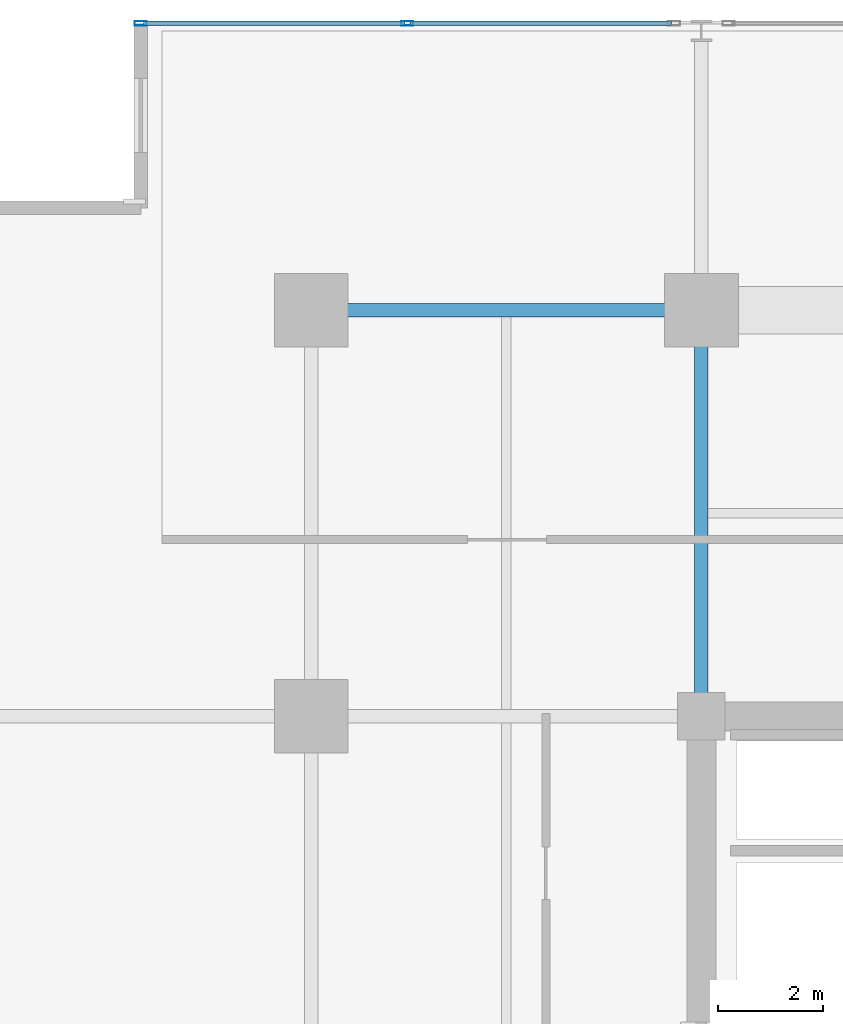
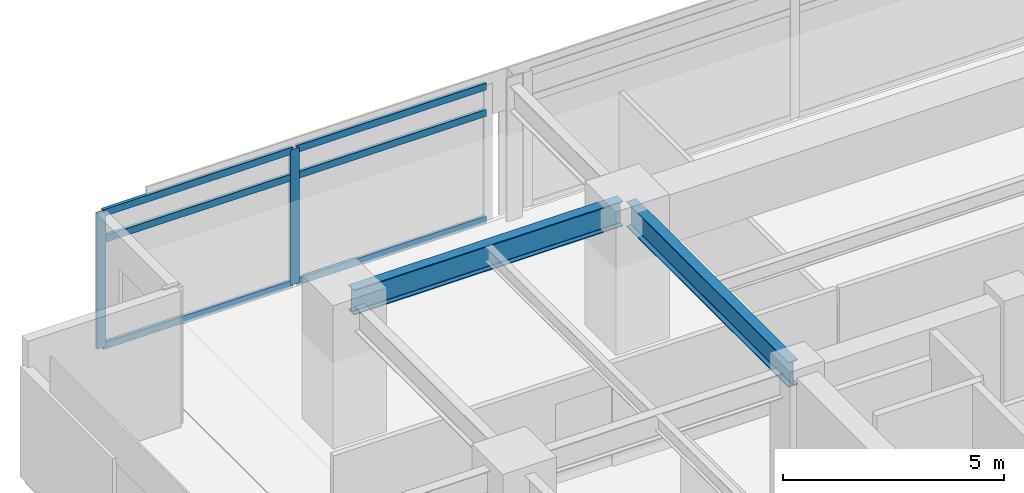
# One storey, part 6 of 23: 8 members, 2 beams, 1 element without a shape of its own.
"""IFC4 building model written with IfcOpenShell, lengths in metres."""

from ifc_helpers import new_model, si_unit, direction, frame, origin, origin_2d, place, context, subcontext, project, spatial, hollow_rectangle, i_section, extrude, material, material_profile, profile_set, type_object, element, aggregate, save


model = new_model("IFC4")

# Units and contexts
model_context = context("Model", 3, precision=1e-05, world=origin(), true_north=direction((0.0, 1.0)))
body_context = subcontext(model_context, "Body", "Model", "MODEL_VIEW")
ifc_project = project(units=[si_unit("LENGTHUNIT", "METRE"), si_unit("AREAUNIT", "SQUARE_METRE"), si_unit("VOLUMEUNIT", "CUBIC_METRE"), si_unit("PLANEANGLEUNIT", "RADIAN"), si_unit("MASSUNIT", "GRAM", prefix="KILO")], contexts=[model_context])

# Site, building, storey
site_placement = place(None, origin())
site = spatial("IfcSite", under=ifc_project, at=site_placement, CompositionType="ELEMENT")
building_placement = place(site_placement, origin())
building = spatial("IfcBuilding", under=site, at=building_placement, Name="Kovane Verandah Tower", CompositionType="ELEMENT")
storey_placement = place(building_placement, frame((0.0, 0.0, 221.199951171875)))
storey = spatial("IfcBuildingStorey", under=building, at=storey_placement, Name="L51", CompositionType="ELEMENT", Elevation=221.199951171875)

# Beams
ifc_material_1 = material(Name="Steel S355", Category="steel")
ifc_material_profile_1 = material_profile(ifc_material_1, i_section(OverallWidth=0.255859375, OverallDepth=0.69287109375, WebThickness=0.014404296875, FlangeThickness=0.023681640625, FilletRadius=0.01513671875, at=origin_2d()), Name="UB686x254x170")
ifc_profile_set_1 = profile_set([ifc_material_profile_1], Name="Steel S355")
beam_type = type_object("IfcBeamType", Name="BM-UB686x170", PredefinedType="BEAM", material=ifc_profile_set_1)
beam_1_placement = place(storey_placement, frame((21.780029296875, 44.199951171875, 3.428466796875), z_axis=(1.0, 0.0, 0.0), x_axis=(0.0, 1.0, 0.0)))
element("IfcBeam", 1, at=beam_1_placement, inside=storey, type_object=beam_type, Name="L51 Primary Tower Girder G-RN1", PredefinedType="BEAM", context=body_context, shape_type="SweptSolid", body=[
    extrude(i_section(OverallWidth=0.255859375, OverallDepth=0.69287109375, WebThickness=0.014404296875, FlangeThickness=0.023681640625, FilletRadius=0.01513671875, at=origin_2d()), origin(), (0.0, 0.0, 1.0), 7.0400390625),
])
beam_2_placement = place(storey_placement, frame((29.0, 36.679931640625, 3.428466796875), z_axis=(0.0, 1.0, 0.0), x_axis=(-1.0, 0.0, 0.0)))
element("IfcBeam", 2, at=beam_2_placement, inside=storey, type_object=beam_type, Name="L51 Primary Tower Girder G-N1", PredefinedType="BEAM", context=body_context, shape_type="SweptSolid", body=[
    extrude(i_section(OverallWidth=0.255859375, OverallDepth=0.69287109375, WebThickness=0.014404296875, FlangeThickness=0.023681640625, FilletRadius=0.01513671875, at=origin_2d()), origin(), (0.0, 0.0, 1.0), 7.340087890625),
])

# Curtain wall, members
ifc_material_2 = material(Name="Champagne Anodised Aluminium Frame with Low-E Clear Laminated Glass", Category="aluminium")
curtain_wall_type = type_object("IfcCurtainWallType", Name="CW-SYS-03-MID", PredefinedType="NOTDEFINED", material=ifc_material_2)
curtain_wall_placement = place(storey_placement, origin())
curtain_wall = element("IfcCurtainWall", 3, at=curtain_wall_placement, inside=storey, type_object=curtain_wall_type, Name="L51 N Unitised Curtain Wall-3", PredefinedType="NOTDEFINED")
ifc_material_3 = material(Name="Champagne Anodised Aluminium 6063-T6", Category="aluminium")
ifc_material_profile_2 = material_profile(ifc_material_3, hollow_rectangle(XDim=0.0849609375, YDim=0.22998046875, WallThickness=0.00390625, at=origin_2d()), Name="AL85x230x4")
ifc_profile_set_2 = profile_set([ifc_material_profile_2], Name="Champagne Anodised Aluminium 6063-T6")
member_type_1 = type_object("IfcMemberType", Name="CW-MUL-85x230", PredefinedType="MULLION", material=ifc_profile_set_2)
member_1_placement = place(storey_placement, frame((23.42431640625, 49.640380859375, 0.02001953125), z_axis=(0.0, 0.0, 1.0), x_axis=(0.0, 1.0, 0.0)))
member_1 = element("IfcMember", 4, at=member_1_placement, type_object=member_type_1, Name="L51 N Unitised Curtain Wall-3 Mullion 2", PredefinedType="MULLION", context=body_context, shape_type="SweptSolid", body=[
    extrude(hollow_rectangle(XDim=0.0849609375, YDim=0.22998046875, WallThickness=0.00390625, at=origin_2d()), origin(), (0.0, 0.0, 1.0), 3.735107421875),
])
member_2_placement = place(storey_placement, frame((18.36865234375, 49.640380859375, 0.02001953125), z_axis=(0.0, 0.0, 1.0), x_axis=(0.0, 1.0, 0.0)))
member_2 = element("IfcMember", 5, at=member_2_placement, type_object=member_type_1, Name="L51 N Unitised Curtain Wall-3 Mullion 3", PredefinedType="MULLION", context=body_context, shape_type="SweptSolid", body=[
    extrude(hollow_rectangle(XDim=0.0849609375, YDim=0.22998046875, WallThickness=0.00390625, at=origin_2d()), origin(), (0.0, 0.0, 1.0), 3.735107421875),
])
ifc_material_profile_3 = material_profile(ifc_material_3, hollow_rectangle(XDim=0.0849609375, YDim=0.18994140625, WallThickness=0.00390625, at=origin_2d()), Name="AL85x190x4")
ifc_profile_set_3 = profile_set([ifc_material_profile_3], Name="Champagne Anodised Aluminium 6063-T6")
member_type_2 = type_object("IfcMemberType", Name="CW-TRN-85x190", PredefinedType="USERDEFINED", material=ifc_profile_set_3)
member_3_placement = place(storey_placement, frame((28.429931640625, 49.640380859375, 0.050048828125), z_axis=(-1.0, 0.0, 0.0), x_axis=(0.0, -1.0, 0.0)))
member_3 = element("IfcMember", 6, at=member_3_placement, type_object=member_type_2, Name="L51 N Unitised Curtain Wall-3 Transom TB Bay 1", ObjectType="TRANSOM", PredefinedType="USERDEFINED", context=body_context, shape_type="SweptSolid", body=[
    extrude(hollow_rectangle(XDim=0.0849609375, YDim=0.18994140625, WallThickness=0.00390625, at=origin_2d()), origin(), (0.0, 0.0, 1.0), 4.95556640625),
])
member_4_placement = place(storey_placement, frame((28.429931640625, 49.640380859375, 2.9951171875), z_axis=(-1.0, 0.0, 0.0), x_axis=(0.0, -1.0, 0.0)))
member_4 = element("IfcMember", 7, at=member_4_placement, type_object=member_type_2, Name="L51 N Unitised Curtain Wall-3 Transom TM Bay 1", ObjectType="TRANSOM", PredefinedType="USERDEFINED", context=body_context, shape_type="SweptSolid", body=[
    extrude(hollow_rectangle(XDim=0.0849609375, YDim=0.18994140625, WallThickness=0.00390625, at=origin_2d()), origin(), (0.0, 0.0, 1.0), 4.95556640625),
])
member_5_placement = place(storey_placement, frame((28.429931640625, 49.640380859375, 3.72509765625), z_axis=(-1.0, 0.0, 0.0), x_axis=(0.0, -1.0, 0.0)))
member_5 = element("IfcMember", 8, at=member_5_placement, type_object=member_type_2, Name="L51 N Unitised Curtain Wall-3 Transom TT Bay 1", ObjectType="TRANSOM", PredefinedType="USERDEFINED", context=body_context, shape_type="SweptSolid", body=[
    extrude(hollow_rectangle(XDim=0.0849609375, YDim=0.18994140625, WallThickness=0.00390625, at=origin_2d()), origin(), (0.0, 0.0, 1.0), 4.95556640625),
])
member_6_placement = place(storey_placement, frame((23.374267578125, 49.640380859375, 0.050048828125), z_axis=(-1.0, 0.0, 0.0), x_axis=(0.0, -1.0, 0.0)))
member_6 = element("IfcMember", 9, at=member_6_placement, type_object=member_type_2, Name="L51 N Unitised Curtain Wall-3 Transom TB Bay 2", ObjectType="TRANSOM", PredefinedType="USERDEFINED", context=body_context, shape_type="SweptSolid", body=[
    extrude(hollow_rectangle(XDim=0.0849609375, YDim=0.18994140625, WallThickness=0.00390625, at=origin_2d()), origin(), (0.0, 0.0, 1.0), 4.95556640625),
])
member_7_placement = place(storey_placement, frame((23.374267578125, 49.640380859375, 2.9951171875), z_axis=(-1.0, 0.0, 0.0), x_axis=(0.0, -1.0, 0.0)))
member_7 = element("IfcMember", 10, at=member_7_placement, type_object=member_type_2, Name="L51 N Unitised Curtain Wall-3 Transom TM Bay 2", ObjectType="TRANSOM", PredefinedType="USERDEFINED", context=body_context, shape_type="SweptSolid", body=[
    extrude(hollow_rectangle(XDim=0.0849609375, YDim=0.18994140625, WallThickness=0.00390625, at=origin_2d()), origin(), (0.0, 0.0, 1.0), 4.95556640625),
])
member_8_placement = place(storey_placement, frame((23.374267578125, 49.640380859375, 3.72509765625), z_axis=(-1.0, 0.0, 0.0), x_axis=(0.0, -1.0, 0.0)))
member_8 = element("IfcMember", 11, at=member_8_placement, type_object=member_type_2, Name="L51 N Unitised Curtain Wall-3 Transom TT Bay 2", ObjectType="TRANSOM", PredefinedType="USERDEFINED", context=body_context, shape_type="SweptSolid", body=[
    extrude(hollow_rectangle(XDim=0.0849609375, YDim=0.18994140625, WallThickness=0.00390625, at=origin_2d()), origin(), (0.0, 0.0, 1.0), 4.95556640625),
])
aggregate(curtain_wall, [member_1, member_2, member_3, member_4, member_5, member_6, member_7, member_8])

save(model, "model.ifc")
